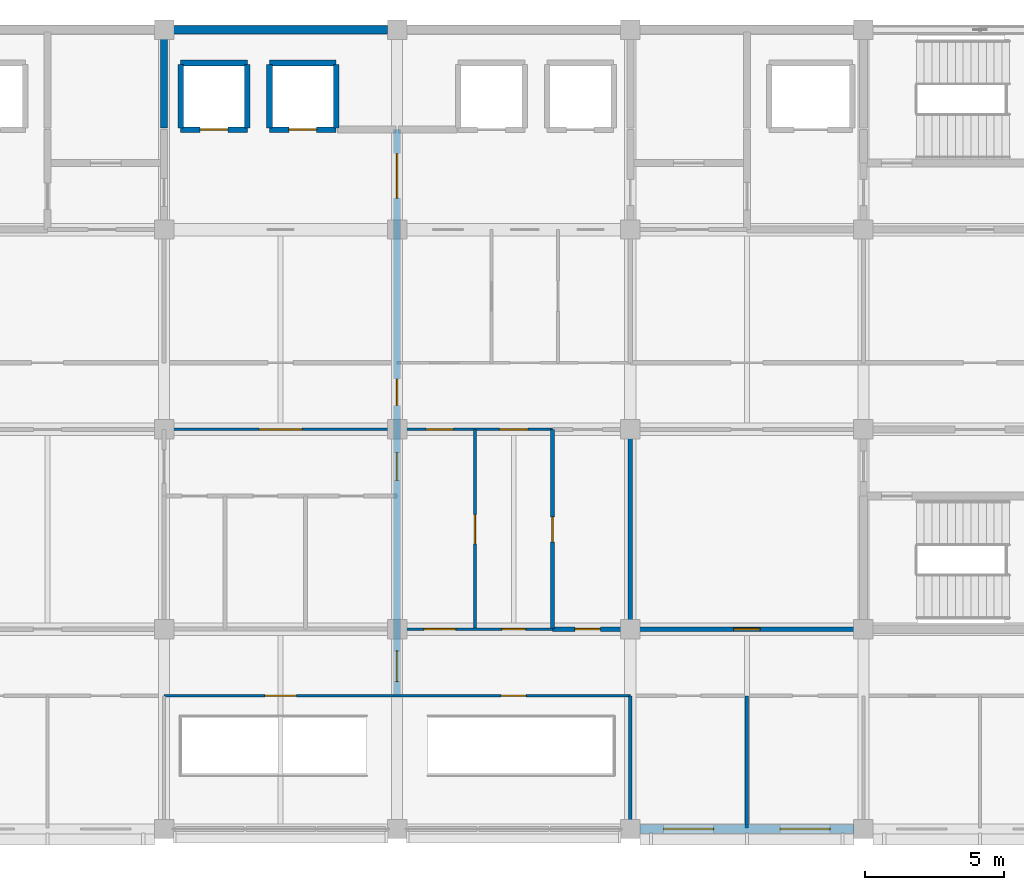
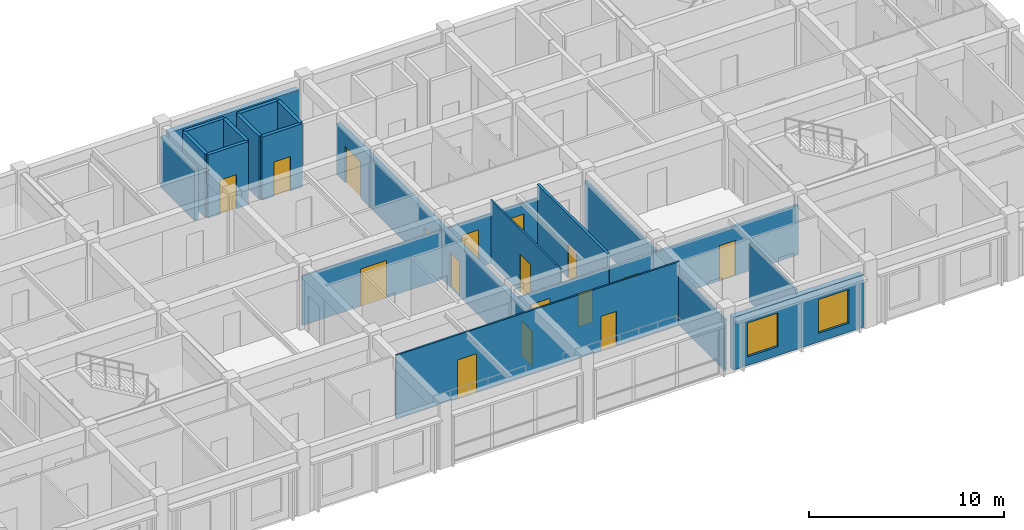
# One storey, part 11 of 17: 21 walls, 17 doors, 2 windows, 19 openings.
"""IFC4 building model written with IfcOpenShell, lengths in metres."""

from ifc_helpers import new_model, si_unit, direction, frame, frame_2d, origin, place, context, subcontext, project, spatial, rectangle, extrude, material, layer, layer_set, type_object, element, fill, save


model = new_model("IFC4")

# Units and contexts
model_context = context("Model", 3, precision=1e-05, world=origin(), true_north=direction((0.0, 1.0)))
body_context = subcontext(model_context, "Body", "Model", "MODEL_VIEW")
ifc_project = project(units=[si_unit("LENGTHUNIT", "METRE"), si_unit("AREAUNIT", "SQUARE_METRE"), si_unit("VOLUMEUNIT", "CUBIC_METRE"), si_unit("PLANEANGLEUNIT", "RADIAN"), si_unit("MASSUNIT", "GRAM", prefix="KILO")], contexts=[model_context])

# Site, building, storey
site_placement = place(None, origin())
site = spatial("IfcSite", under=ifc_project, at=site_placement, CompositionType="ELEMENT")
building_placement = place(site_placement, origin())
building = spatial("IfcBuilding", under=site, at=building_placement, Name="Chengyuan Square Courthouse", CompositionType="ELEMENT")
storey_placement = place(building_placement, frame((0.0, 0.0, 51.89990234375)))
storey = spatial("IfcBuildingStorey", under=building, at=storey_placement, Name="L12", CompositionType="ELEMENT", Elevation=51.89990234375)

# Wall
ifc_material_1 = material(Name="Concrete C40", Category="concrete")
ifc_layer_1 = layer(ifc_material_1, 0.320068359375)
ifc_layer_set_1 = layer_set([ifc_layer_1], Name="Concrete C40")
wall_type_1 = type_object("IfcWallType", Name="WL-EW3", PredefinedType="STANDARD", material=ifc_layer_set_1)
wall_1_placement = place(storey_placement, frame((75.945068359375, 108.0, 0.0), z_axis=(0.0, 0.0, 1.0), x_axis=(1.0, 0.0, 0.0)))
element("IfcWall", 1, at=wall_1_placement, inside=storey, type_object=wall_type_1, Name="Exterior Wall WL-L12-E476", PredefinedType="STANDARD", context=body_context, shape_type="SweptSolid", body=[
    extrude(rectangle(XDim=7.7099609375, YDim=0.320068359375, at=frame_2d((3.85498046875, 0.0))), origin(), (0.0, 0.0, 1.0), 3.31005859375),
])

# Wall, openings, windows
wall_2_placement = place(storey_placement, frame((92.7451171875, 79.199951171875, 0.0), z_axis=(0.0, 0.0, 1.0), x_axis=(1.0, 0.0, 0.0)))
wall_2 = element("IfcWall", 2, at=wall_2_placement, inside=storey, type_object=wall_type_1, Name="Exterior Wall WL-L12-E478", PredefinedType="STANDARD", context=body_context, shape_type="SweptSolid", body=[
    extrude(rectangle(XDim=7.7099609375, YDim=0.320068359375, at=frame_2d((3.85498046875, 0.0))), origin(), (0.0, 0.0, 1.0), 3.31005859375),
])
opening_1_placement = place(wall_2_placement, frame((0.85498046875, 0.0, 0.550048828125)))
opening_1 = element("IfcOpeningElement", 3, at=opening_1_placement, cuts=wall_2, Name="Opening WN-209", PredefinedType="OPENING", context=body_context, shape_type="SweptSolid", body=[
    extrude(rectangle(XDim=1.800048828125, YDim=2.1201171875, at=frame_2d((0.89990234375, 1.06005859375))), frame((0.0, 0.172119140625, 0.0), z_axis=(0.0, -1.0, 0.0), x_axis=(1.0, 0.0, 0.0)), (0.0, 0.0, 1.0), 0.343994140625),
])
opening_2_placement = place(wall_2_placement, frame((5.054931640625, 0.0, 0.550048828125)))
opening_2 = element("IfcOpeningElement", 4, at=opening_2_placement, cuts=wall_2, Name="Opening WN-210", PredefinedType="OPENING", context=body_context, shape_type="SweptSolid", body=[
    extrude(rectangle(XDim=1.800048828125, YDim=2.1201171875, at=frame_2d((0.89990234375, 1.06005859375))), frame((0.0, 0.172119140625, 0.0), z_axis=(0.0, -1.0, 0.0), x_axis=(1.0, 0.0, 0.0)), (0.0, 0.0, 1.0), 0.343994140625),
])
ifc_material_2 = material(Name="Thermally Broken Aluminium Triple Low-E Window", Category="aluminium")
window_type = type_object("IfcWindowType", Name="WT-36", PartitioningType="SINGLE_PANEL", PredefinedType="WINDOW", material=ifc_material_2)
window_1_placement = place(opening_1_placement, origin())
window_1 = element("IfcWindow", 5, at=window_1_placement, inside=storey, type_object=window_type, Name="Facade Window WN-209", OverallHeight=2.1201171875, OverallWidth=1.800048828125, PartitioningType="SINGLE_PANEL", PredefinedType="WINDOW", context=body_context, shape_type="SweptSolid", body=[
    extrude(rectangle(XDim=1.800048828125, YDim=2.1201171875, at=frame_2d((0.89990234375, 1.06005859375))), frame((0.0, 0.030029296875, 0.0), z_axis=(0.0, -1.0, 0.0), x_axis=(1.0, 0.0, 0.0)), (0.0, 0.0, 1.0), 0.06005859375),
])
fill(opening_1, window_1)
window_2_placement = place(opening_2_placement, origin())
window_2 = element("IfcWindow", 6, at=window_2_placement, inside=storey, type_object=window_type, Name="Facade Window WN-210", OverallHeight=2.1201171875, OverallWidth=1.800048828125, PartitioningType="SINGLE_PANEL", PredefinedType="WINDOW", context=body_context, shape_type="SweptSolid", body=[
    extrude(rectangle(XDim=1.800048828125, YDim=2.1201171875, at=frame_2d((0.89990234375, 1.06005859375))), frame((0.0, 0.030029296875, 0.0), z_axis=(0.0, -1.0, 0.0), x_axis=(1.0, 0.0, 0.0)), (0.0, 0.0, 1.0), 0.06005859375),
])
fill(opening_2, window_2)

# Wall
ifc_layer_2 = layer(ifc_material_1, 0.25)
ifc_layer_set_2 = layer_set([ifc_layer_2], Name="Concrete C40")
wall_type_2 = type_object("IfcWallType", Name="WL-FW1", PredefinedType="STANDARD", material=ifc_layer_set_2)
wall_3_placement = place(storey_placement, frame((75.60009765625, 104.449951171875, 0.0), z_axis=(0.0, 0.0, 1.0), x_axis=(0.0, 1.0, 0.0)))
element("IfcWall", 7, at=wall_3_placement, inside=storey, type_object=wall_type_2, Name="Interior Wall WL-L12-I3723", PredefinedType="STANDARD", context=body_context, shape_type="SweptSolid", body=[
    extrude(rectangle(XDim=3.4599609375, YDim=0.25, at=frame_2d((1.72998046875, 0.0))), origin(), (0.0, 0.0, 1.0), 3.210205078125),
])

# Wall, openings, doors
wall_4_placement = place(storey_placement, frame((84.0, 84.0, 0.0), z_axis=(0.0, 0.0, 1.0), x_axis=(0.0, 1.0, 0.0)))
wall_4 = element("IfcWall", 8, at=wall_4_placement, inside=storey, type_object=wall_type_2, Name="Interior Wall WL-L12-I3730", PredefinedType="STANDARD", context=body_context, shape_type="SweptSolid", body=[
    extrude(rectangle(XDim=20.39990234375, YDim=0.25, at=frame_2d((10.199951171875, 0.0))), origin(), (0.0, 0.0, 1.0), 3.210205078125),
])
opening_3_placement = place(wall_4_placement, frame((17.93505859375, 0.0, 0.0)))
opening_3 = element("IfcOpeningElement", 9, at=opening_3_placement, cuts=wall_4, Name="Opening DR-3040", PredefinedType="OPENING", context=body_context, shape_type="SweptSolid", body=[
    extrude(rectangle(XDim=1.60009765625, YDim=2.300048828125, at=frame_2d((0.800048828125, 1.14990234375))), frame((0.0, 0.136962890625, 0.0), z_axis=(0.0, -1.0, 0.0), x_axis=(1.0, 0.0, 0.0)), (0.0, 0.0, 1.0), 0.27392578125),
])
opening_4_placement = place(wall_4_placement, frame((7.764892578125, 0.0, 0.0)))
opening_4 = element("IfcOpeningElement", 10, at=opening_4_placement, cuts=wall_4, Name="Opening DR-3058", PredefinedType="OPENING", context=body_context, shape_type="SweptSolid", body=[
    extrude(rectangle(XDim=1.0, YDim=2.199951171875, at=frame_2d((0.5, 1.10009765625))), frame((0.0, 0.136962890625, 0.0), z_axis=(0.0, -1.0, 0.0), x_axis=(1.0, 0.0, 0.0)), (0.0, 0.0, 1.0), 0.27392578125),
])
opening_5_placement = place(wall_4_placement, frame((10.4599609375, 0.0, 0.0)))
opening_5 = element("IfcOpeningElement", 11, at=opening_5_placement, cuts=wall_4, Name="Opening DR-3059", PredefinedType="OPENING", context=body_context, shape_type="SweptSolid", body=[
    extrude(rectangle(XDim=0.949951171875, YDim=2.14990234375, at=frame_2d((0.47509765625, 1.074951171875))), frame((0.0, 0.136962890625, 0.0), z_axis=(0.0, -1.0, 0.0), x_axis=(1.0, 0.0, 0.0)), (0.0, 0.0, 1.0), 0.27392578125),
])
opening_6_placement = place(wall_4_placement, frame((0.514892578125, 0.0, 0.0)))
opening_6 = element("IfcOpeningElement", 12, at=opening_6_placement, cuts=wall_4, Name="Opening DR-3108", PredefinedType="OPENING", context=body_context, shape_type="SweptSolid", body=[
    extrude(rectangle(XDim=1.10009765625, YDim=2.199951171875, at=frame_2d((0.550048828125, 1.10009765625))), frame((0.0, 0.136962890625, 0.0), z_axis=(0.0, -1.0, 0.0), x_axis=(1.0, 0.0, 0.0)), (0.0, 0.0, 1.0), 0.27392578125),
])
ifc_material_3 = material(Name="Steel Q235B Fire Door", Category="steel")
door_type_1 = type_object("IfcDoorType", Name="DT-10", OperationType="NOTDEFINED", PredefinedType="DOOR", material=ifc_material_3)
door_1_placement = place(opening_6_placement, origin())
door_1 = element("IfcDoor", 13, at=door_1_placement, inside=storey, type_object=door_type_1, Name="Interior Door DR-3108", OperationType="SINGLE_SWING_LEFT", OverallHeight=2.199951171875, OverallWidth=1.10009765625, PredefinedType="DOOR", context=body_context, shape_type="SweptSolid", body=[
    extrude(rectangle(XDim=1.10009765625, YDim=2.199951171875, at=frame_2d((0.550048828125, 1.10009765625))), frame((0.0, 0.02490234375, 0.0), z_axis=(0.0, -1.0, 0.0), x_axis=(1.0, 0.0, 0.0)), (0.0, 0.0, 1.0), 0.050048828125),
])
fill(opening_6, door_1)
door_type_2 = type_object("IfcDoorType", Name="DT-11", OperationType="NOTDEFINED", PredefinedType="DOOR", material=ifc_material_3)
door_2_placement = place(opening_4_placement, origin())
door_2 = element("IfcDoor", 14, at=door_2_placement, inside=storey, type_object=door_type_2, Name="Interior Door DR-3058", OperationType="SINGLE_SWING_LEFT", OverallHeight=2.199951171875, OverallWidth=1.0, PredefinedType="DOOR", context=body_context, shape_type="SweptSolid", body=[
    extrude(rectangle(XDim=1.0, YDim=2.199951171875, at=frame_2d((0.5, 1.10009765625))), frame((0.0, 0.02490234375, 0.0), z_axis=(0.0, -1.0, 0.0), x_axis=(1.0, 0.0, 0.0)), (0.0, 0.0, 1.0), 0.050048828125),
])
fill(opening_4, door_2)
door_type_3 = type_object("IfcDoorType", Name="DT-12", OperationType="NOTDEFINED", PredefinedType="DOOR", material=ifc_material_3)
door_3_placement = place(opening_5_placement, origin())
door_3 = element("IfcDoor", 15, at=door_3_placement, inside=storey, type_object=door_type_3, Name="Interior Door DR-3059", OperationType="SINGLE_SWING_RIGHT", OverallHeight=2.14990234375, OverallWidth=0.949951171875, PredefinedType="DOOR", context=body_context, shape_type="SweptSolid", body=[
    extrude(rectangle(XDim=0.949951171875, YDim=2.14990234375, at=frame_2d((0.47509765625, 1.074951171875))), frame((0.0, 0.02490234375, 0.0), z_axis=(0.0, -1.0, 0.0), x_axis=(1.0, 0.0, 0.0)), (0.0, 0.0, 1.0), 0.050048828125),
])
fill(opening_5, door_3)
ifc_material_4 = material(Name="Steel Q235B Glazed Fire Door", Category="steel")
door_type_4 = type_object("IfcDoorType", Name="DT-17", OperationType="DOUBLE_DOOR_SINGLE_SWING", PredefinedType="DOOR", material=ifc_material_4)
door_4_placement = place(opening_3_placement, frame((1.60009765625, 0.0, 0.0), z_axis=(0.0, 0.0, 1.0), x_axis=(-1.0, 0.0, 0.0)))
door_4 = element("IfcDoor", 16, at=door_4_placement, inside=storey, type_object=door_type_4, Name="Interior Door DR-3040", OperationType="DOUBLE_DOOR_SINGLE_SWING", OverallHeight=2.300048828125, OverallWidth=1.60009765625, PredefinedType="DOOR", context=body_context, shape_type="SweptSolid", body=[
    extrude(rectangle(XDim=1.60009765625, YDim=2.300048828125, at=frame_2d((0.800048828125, 1.14990234375))), frame((0.0, 0.02490234375, 0.0), z_axis=(0.0, -1.0, 0.0), x_axis=(1.0, 0.0, 0.0)), (0.0, 0.0, 1.0), 0.050048828125),
])
fill(opening_3, door_4)

ifc_material_5 = material(Name="Deliberation Room Sound-Insulated Partition")
ifc_layer_3 = layer(ifc_material_5, 0.14990234375)
ifc_layer_set_3 = layer_set([ifc_layer_3], Name="Deliberation Room Sound-Insulated Partition")
wall_type_3 = type_object("IfcWallType", Name="WL-PT3", PredefinedType="STANDARD", material=ifc_layer_set_3)
wall_5_placement = place(storey_placement, frame((89.60009765625, 86.39990234375, 0.0), z_axis=(0.0, 0.0, 1.0), x_axis=(1.0, 0.0, 0.0)))
wall_5 = element("IfcWall", 17, at=wall_5_placement, inside=storey, type_object=wall_type_3, Name="Interior Wall WL-L12-I3646", PredefinedType="STANDARD", context=body_context, shape_type="SweptSolid", body=[
    extrude(rectangle(XDim=11.199951171875, YDim=0.14990234375, at=frame_2d((5.60009765625, 0.0))), origin(), (0.0, 0.0, 1.0), 3.110107421875),
])
opening_7_placement = place(wall_5_placement, frame((0.804931640625, 0.0, 0.0)))
opening_7 = element("IfcOpeningElement", 18, at=opening_7_placement, cuts=wall_5, Name="Opening DR-3101", PredefinedType="OPENING", context=body_context, shape_type="SweptSolid", body=[
    extrude(rectangle(XDim=0.919921875, YDim=2.14990234375, at=frame_2d((0.4599609375, 1.074951171875))), frame((0.0, 0.0869140625, 0.0), z_axis=(0.0, -1.0, 0.0), x_axis=(1.0, 0.0, 0.0)), (0.0, 0.0, 1.0), 0.173828125),
])
opening_8_placement = place(wall_5_placement, frame((6.52001953125, 0.0, 0.0)))
opening_8 = element("IfcOpeningElement", 19, at=opening_8_placement, cuts=wall_5, Name="Opening DR-3102", PredefinedType="OPENING", context=body_context, shape_type="SweptSolid", body=[
    extrude(rectangle(XDim=0.9599609375, YDim=2.199951171875, at=frame_2d((0.47998046875, 1.10009765625))), frame((0.0, 0.0869140625, 0.0), z_axis=(0.0, -1.0, 0.0), x_axis=(1.0, 0.0, 0.0)), (0.0, 0.0, 1.0), 0.173828125),
])
ifc_material_6 = material(Name="Acoustic Solid-Core Timber Door", Category="wood")
door_type_5 = type_object("IfcDoorType", Name="DT-29", OperationType="NOTDEFINED", PredefinedType="DOOR", material=ifc_material_6)
door_5_placement = place(opening_7_placement, origin())
door_5 = element("IfcDoor", 20, at=door_5_placement, inside=storey, type_object=door_type_5, Name="Interior Door DR-3101", OperationType="SINGLE_SWING_RIGHT", OverallHeight=2.14990234375, OverallWidth=0.919921875, PredefinedType="DOOR", context=body_context, shape_type="SweptSolid", body=[
    extrude(rectangle(XDim=0.919921875, YDim=2.14990234375, at=frame_2d((0.4599609375, 1.074951171875))), frame((0.0, 0.02490234375, 0.0), z_axis=(0.0, -1.0, 0.0), x_axis=(1.0, 0.0, 0.0)), (0.0, 0.0, 1.0), 0.050048828125),
])
fill(opening_7, door_5)
door_type_6 = type_object("IfcDoorType", Name="DT-30", OperationType="NOTDEFINED", PredefinedType="DOOR", material=ifc_material_6)
door_6_placement = place(opening_8_placement, origin())
door_6 = element("IfcDoor", 21, at=door_6_placement, inside=storey, type_object=door_type_6, Name="Interior Door DR-3102", OperationType="SINGLE_SWING_LEFT", OverallHeight=2.199951171875, OverallWidth=0.9599609375, PredefinedType="DOOR", context=body_context, shape_type="SweptSolid", body=[
    extrude(rectangle(XDim=0.9599609375, YDim=2.199951171875, at=frame_2d((0.47998046875, 1.10009765625))), frame((0.0, 0.02490234375, 0.0), z_axis=(0.0, -1.0, 0.0), x_axis=(1.0, 0.0, 0.0)), (0.0, 0.0, 1.0), 0.050048828125),
])
fill(opening_8, door_6)

# Wall, opening, door
wall_6_placement = place(storey_placement, frame((89.60009765625, 86.39990234375, 0.0), z_axis=(0.0, 0.0, 1.0), x_axis=(0.0, 1.0, 0.0)))
wall_6 = element("IfcWall", 22, at=wall_6_placement, inside=storey, type_object=wall_type_3, Name="Interior Wall WL-L12-I3736", PredefinedType="STANDARD", context=body_context, shape_type="SweptSolid", body=[
    extrude(rectangle(XDim=7.2001953125, YDim=0.14990234375, at=frame_2d((3.60009765625, 0.0))), origin(), (0.0, 0.0, 1.0), 3.960205078125),
])
opening_9_placement = place(wall_6_placement, frame((3.14990234375, 0.0, 0.0)))
opening_9 = element("IfcOpeningElement", 23, at=opening_9_placement, cuts=wall_6, Name="Opening DR-3099", PredefinedType="OPENING", context=body_context, shape_type="SweptSolid", body=[
    extrude(rectangle(XDim=0.89990234375, YDim=2.14990234375, at=frame_2d((0.449951171875, 1.074951171875))), frame((0.0, 0.0869140625, 0.0), z_axis=(0.0, -1.0, 0.0), x_axis=(1.0, 0.0, 0.0)), (0.0, 0.0, 1.0), 0.173828125),
])
door_type_7 = type_object("IfcDoorType", Name="DT-27", OperationType="NOTDEFINED", PredefinedType="DOOR", material=ifc_material_6)
door_7_placement = place(opening_9_placement, origin())
door_7 = element("IfcDoor", 24, at=door_7_placement, inside=storey, type_object=door_type_7, Name="Interior Door DR-3099", OperationType="SINGLE_SWING_RIGHT", OverallHeight=2.14990234375, OverallWidth=0.89990234375, PredefinedType="DOOR", context=body_context, shape_type="SweptSolid", body=[
    extrude(rectangle(XDim=0.89990234375, YDim=2.14990234375, at=frame_2d((0.449951171875, 1.074951171875))), frame((0.0, 0.02490234375, 0.0), z_axis=(0.0, -1.0, 0.0), x_axis=(1.0, 0.0, 0.0)), (0.0, 0.0, 1.0), 0.050048828125),
])
fill(opening_9, door_7)

# Walls
wall_7_placement = place(storey_placement, frame((92.39990234375, 86.39990234375, 0.0), z_axis=(0.0, 0.0, 1.0), x_axis=(0.0, 1.0, 0.0)))
element("IfcWall", 25, at=wall_7_placement, inside=storey, type_object=wall_type_3, Name="Interior Wall WL-L12-I3740", PredefinedType="STANDARD", context=body_context, shape_type="SweptSolid", body=[
    extrude(rectangle(XDim=7.2001953125, YDim=0.14990234375, at=frame_2d((3.60009765625, 0.0))), origin(), (0.0, 0.0, 1.0), 3.210205078125),
])
ifc_material_7 = material(Name="Judges Chambers Gypsum Stud Partition")
ifc_layer_4 = layer(ifc_material_7, 0.1201171875)
ifc_layer_set_4 = layer_set([ifc_layer_4], Name="Judges Chambers Gypsum Stud Partition")
wall_type_4 = type_object("IfcWallType", Name="WL-PT5", PredefinedType="STANDARD", material=ifc_layer_set_4)
wall_8_placement = place(storey_placement, frame((92.39990234375, 79.239990234375, 0.0), z_axis=(0.0, 0.0, 1.0), x_axis=(0.0, 1.0, 0.0)))
element("IfcWall", 26, at=wall_8_placement, inside=storey, type_object=wall_type_4, Name="Interior Wall WL-L12-I3739", PredefinedType="STANDARD", context=body_context, shape_type="SweptSolid", body=[
    extrude(rectangle(XDim=4.760009765625, YDim=0.1201171875, at=frame_2d((2.3798828125, 0.0))), origin(), (0.0, 0.0, 1.0), 3.210205078125),
])
wall_9_placement = place(storey_placement, frame((96.60009765625, 79.239990234375, 0.0), z_axis=(0.0, 0.0, 1.0), x_axis=(0.0, 1.0, 0.0)))
element("IfcWall", 27, at=wall_9_placement, inside=storey, type_object=wall_type_4, Name="Interior Wall WL-L12-I3744", PredefinedType="STANDARD", context=body_context, shape_type="SweptSolid", body=[
    extrude(rectangle(XDim=4.760009765625, YDim=0.1201171875, at=frame_2d((2.3798828125, 0.0))), origin(), (0.0, 0.0, 1.0), 3.610107421875),
])

# Wall, openings, doors
ifc_material_8 = material(Name="Gypsum Plasterboard Acoustic Stud Partition")
ifc_layer_5 = layer(ifc_material_8, 0.10009765625)
ifc_layer_set_5 = layer_set([ifc_layer_5], Name="Gypsum Plasterboard Acoustic Stud Partition")
wall_type_5 = type_object("IfcWallType", Name="WL-PT6", PredefinedType="STANDARD", material=ifc_layer_set_5)
wall_10_placement = place(storey_placement, frame((75.60009765625, 84.0, 0.0), z_axis=(0.0, 0.0, 1.0), x_axis=(1.0, 0.0, 0.0)))
wall_10 = element("IfcWall", 28, at=wall_10_placement, inside=storey, type_object=wall_type_5, Name="Interior Wall WL-L12-I3638", PredefinedType="STANDARD", context=body_context, shape_type="SweptSolid", body=[
    extrude(rectangle(XDim=16.7998046875, YDim=0.10009765625, at=frame_2d((8.39990234375, 0.0))), origin(), (0.0, 0.0, 1.0), 3.960205078125),
])
opening_10_placement = place(wall_10_placement, frame((3.6298828125, 0.0, 0.0)))
opening_10 = element("IfcOpeningElement", 29, at=opening_10_placement, cuts=wall_10, Name="Opening DR-3115", PredefinedType="OPENING", context=body_context, shape_type="SweptSolid", body=[
    extrude(rectangle(XDim=1.139892578125, YDim=2.39990234375, at=frame_2d((0.56982421875, 1.199951171875))), frame((0.0, 0.06201171875, 0.0), z_axis=(0.0, -1.0, 0.0), x_axis=(1.0, 0.0, 0.0)), (0.0, 0.0, 1.0), 0.1240234375),
])
opening_11_placement = place(wall_10_placement, frame((12.14990234375, 0.0, 0.0)))
opening_11 = element("IfcOpeningElement", 30, at=opening_11_placement, cuts=wall_10, Name="Opening DR-3116", PredefinedType="OPENING", context=body_context, shape_type="SweptSolid", body=[
    extrude(rectangle(XDim=0.89990234375, YDim=2.14990234375, at=frame_2d((0.449951171875, 1.074951171875))), frame((0.0, 0.06201171875, 0.0), z_axis=(0.0, -1.0, 0.0), x_axis=(1.0, 0.0, 0.0)), (0.0, 0.0, 1.0), 0.1240234375),
])
door_8_placement = place(opening_11_placement, origin())
door_8 = element("IfcDoor", 31, at=door_8_placement, inside=storey, type_object=door_type_7, Name="Interior Door DR-3116", OperationType="SINGLE_SWING_LEFT", OverallHeight=2.14990234375, OverallWidth=0.89990234375, PredefinedType="DOOR", context=body_context, shape_type="SweptSolid", body=[
    extrude(rectangle(XDim=0.89990234375, YDim=2.14990234375, at=frame_2d((0.449951171875, 1.074951171875))), frame((0.0, 0.02490234375, 0.0), z_axis=(0.0, -1.0, 0.0), x_axis=(1.0, 0.0, 0.0)), (0.0, 0.0, 1.0), 0.050048828125),
])
fill(opening_11, door_8)
door_type_8 = type_object("IfcDoorType", Name="DT-43", OperationType="NOTDEFINED", PredefinedType="DOOR", material=ifc_material_6)
door_9_placement = place(opening_10_placement, origin())
door_9 = element("IfcDoor", 32, at=door_9_placement, inside=storey, type_object=door_type_8, Name="Interior Door DR-3115", OperationType="SINGLE_SWING_RIGHT", OverallHeight=2.39990234375, OverallWidth=1.139892578125, PredefinedType="DOOR", context=body_context, shape_type="SweptSolid", body=[
    extrude(rectangle(XDim=1.139892578125, YDim=2.39990234375, at=frame_2d((0.56982421875, 1.199951171875))), frame((0.0, 0.02490234375, 0.0), z_axis=(0.0, -1.0, 0.0), x_axis=(1.0, 0.0, 0.0)), (0.0, 0.0, 1.0), 0.050048828125),
])
fill(opening_10, door_9)

wall_11_placement = place(storey_placement, frame((84.0, 86.39990234375, 0.0), z_axis=(0.0, 0.0, 1.0), x_axis=(1.0, 0.0, 0.0)))
wall_11 = element("IfcWall", 33, at=wall_11_placement, inside=storey, type_object=wall_type_5, Name="Interior Wall WL-L12-I3645", PredefinedType="STANDARD", context=body_context, shape_type="SweptSolid", body=[
    extrude(rectangle(XDim=5.60009765625, YDim=0.10009765625, at=frame_2d((2.800048828125, 0.0))), origin(), (0.0, 0.0, 1.0), 3.110107421875),
])
opening_12_placement = place(wall_11_placement, frame((0.965087890625, 0.0, 0.0)))
opening_12 = element("IfcOpeningElement", 34, at=opening_12_placement, cuts=wall_11, Name="Opening DR-3098", PredefinedType="OPENING", context=body_context, shape_type="SweptSolid", body=[
    extrude(rectangle(XDim=1.139892578125, YDim=2.39990234375, at=frame_2d((0.56982421875, 1.199951171875))), frame((0.0, 0.06201171875, 0.0), z_axis=(0.0, -1.0, 0.0), x_axis=(1.0, 0.0, 0.0)), (0.0, 0.0, 1.0), 0.1240234375),
])
opening_13_placement = place(wall_11_placement, frame((3.77001953125, 0.0, 0.0)))
opening_13 = element("IfcOpeningElement", 35, at=opening_13_placement, cuts=wall_11, Name="Opening DR-3100", PredefinedType="OPENING", context=body_context, shape_type="SweptSolid", body=[
    extrude(rectangle(XDim=0.860107421875, YDim=2.10009765625, at=frame_2d((0.43017578125, 1.050048828125))), frame((0.0, 0.06201171875, 0.0), z_axis=(0.0, -1.0, 0.0), x_axis=(1.0, 0.0, 0.0)), (0.0, 0.0, 1.0), 0.1240234375),
])
door_type_9 = type_object("IfcDoorType", Name="DT-28", OperationType="NOTDEFINED", PredefinedType="DOOR", material=ifc_material_6)
door_10_placement = place(opening_13_placement, origin())
door_10 = element("IfcDoor", 36, at=door_10_placement, inside=storey, type_object=door_type_9, Name="Interior Door DR-3100", OperationType="SINGLE_SWING_LEFT", OverallHeight=2.10009765625, OverallWidth=0.860107421875, PredefinedType="DOOR", context=body_context, shape_type="SweptSolid", body=[
    extrude(rectangle(XDim=0.860107421875, YDim=2.10009765625, at=frame_2d((0.43017578125, 1.050048828125))), frame((0.0, 0.02490234375, 0.0), z_axis=(0.0, -1.0, 0.0), x_axis=(1.0, 0.0, 0.0)), (0.0, 0.0, 1.0), 0.050048828125),
])
fill(opening_13, door_10)
door_11_placement = place(opening_12_placement, origin())
door_11 = element("IfcDoor", 37, at=door_11_placement, inside=storey, type_object=door_type_8, Name="Interior Door DR-3098", OperationType="SINGLE_SWING_LEFT", OverallHeight=2.39990234375, OverallWidth=1.139892578125, PredefinedType="DOOR", context=body_context, shape_type="SweptSolid", body=[
    extrude(rectangle(XDim=1.139892578125, YDim=2.39990234375, at=frame_2d((0.56982421875, 1.199951171875))), frame((0.0, 0.02490234375, 0.0), z_axis=(0.0, -1.0, 0.0), x_axis=(1.0, 0.0, 0.0)), (0.0, 0.0, 1.0), 0.050048828125),
])
fill(opening_12, door_11)

wall_12_placement = place(storey_placement, frame((75.60009765625, 93.60009765625, 0.0), z_axis=(0.0, 0.0, 1.0), x_axis=(1.0, 0.0, 0.0)))
wall_12 = element("IfcWall", 38, at=wall_12_placement, inside=storey, type_object=wall_type_5, Name="Interior Wall WL-L12-I3657", PredefinedType="STANDARD", context=body_context, shape_type="SweptSolid", body=[
    extrude(rectangle(XDim=14.0, YDim=0.10009765625, at=frame_2d((7.0, 0.0))), origin(), (0.0, 0.0, 1.0), 3.110107421875),
])
opening_14_placement = place(wall_12_placement, frame((3.425048828125, 0.0, 0.0)))
opening_14 = element("IfcOpeningElement", 39, at=opening_14_placement, cuts=wall_12, Name="Opening DR-3056", PredefinedType="OPENING", context=body_context, shape_type="SweptSolid", body=[
    extrude(rectangle(XDim=1.550048828125, YDim=2.35009765625, at=frame_2d((0.77490234375, 1.175048828125))), frame((0.0, 0.06201171875, 0.0), z_axis=(0.0, -1.0, 0.0), x_axis=(1.0, 0.0, 0.0)), (0.0, 0.0, 1.0), 0.1240234375),
])
opening_15_placement = place(wall_12_placement, frame((9.445068359375, 0.0, 0.0)))
opening_15 = element("IfcOpeningElement", 40, at=opening_15_placement, cuts=wall_12, Name="Opening DR-3078", PredefinedType="OPENING", context=body_context, shape_type="SweptSolid", body=[
    extrude(rectangle(XDim=0.97998046875, YDim=2.35009765625, at=frame_2d((0.489990234375, 1.175048828125))), frame((0.0, 0.06201171875, 0.0), z_axis=(0.0, -1.0, 0.0), x_axis=(1.0, 0.0, 0.0)), (0.0, 0.0, 1.0), 0.1240234375),
])
opening_16_placement = place(wall_12_placement, frame((12.090087890625, 0.0, 0.0)))
opening_16 = element("IfcOpeningElement", 41, at=opening_16_placement, cuts=wall_12, Name="Opening DR-3079", PredefinedType="OPENING", context=body_context, shape_type="SweptSolid", body=[
    extrude(rectangle(XDim=1.02001953125, YDim=2.39990234375, at=frame_2d((0.510009765625, 1.199951171875))), frame((0.0, 0.06201171875, 0.0), z_axis=(0.0, -1.0, 0.0), x_axis=(1.0, 0.0, 0.0)), (0.0, 0.0, 1.0), 0.1240234375),
])
ifc_material_9 = material(Name="Acoustic Larch Veneer Double Door")
door_type_10 = type_object("IfcDoorType", Name="DT-23", OperationType="DOUBLE_DOOR_SINGLE_SWING", PredefinedType="DOOR", material=ifc_material_9)
door_12_placement = place(opening_14_placement, frame((1.550048828125, 0.0, 0.0), z_axis=(0.0, 0.0, 1.0), x_axis=(-1.0, 0.0, 0.0)))
door_12 = element("IfcDoor", 42, at=door_12_placement, inside=storey, type_object=door_type_10, Name="Interior Door DR-3056", OperationType="DOUBLE_DOOR_SINGLE_SWING", OverallHeight=2.35009765625, OverallWidth=1.550048828125, PredefinedType="DOOR", context=body_context, shape_type="SweptSolid", body=[
    extrude(rectangle(XDim=1.550048828125, YDim=2.35009765625, at=frame_2d((0.77490234375, 1.175048828125))), frame((0.0, 0.02490234375, 0.0), z_axis=(0.0, -1.0, 0.0), x_axis=(1.0, 0.0, 0.0)), (0.0, 0.0, 1.0), 0.050048828125),
])
fill(opening_14, door_12)
door_type_11 = type_object("IfcDoorType", Name="DT-40", OperationType="NOTDEFINED", PredefinedType="DOOR", material=ifc_material_6)
door_13_placement = place(opening_15_placement, origin())
door_13 = element("IfcDoor", 43, at=door_13_placement, inside=storey, type_object=door_type_11, Name="Interior Door DR-3078", OperationType="SINGLE_SWING_LEFT", OverallHeight=2.35009765625, OverallWidth=0.97998046875, PredefinedType="DOOR", context=body_context, shape_type="SweptSolid", body=[
    extrude(rectangle(XDim=0.97998046875, YDim=2.35009765625, at=frame_2d((0.489990234375, 1.175048828125))), frame((0.0, 0.02490234375, 0.0), z_axis=(0.0, -1.0, 0.0), x_axis=(1.0, 0.0, 0.0)), (0.0, 0.0, 1.0), 0.050048828125),
])
fill(opening_15, door_13)
door_type_12 = type_object("IfcDoorType", Name="DT-41", OperationType="NOTDEFINED", PredefinedType="DOOR", material=ifc_material_6)
door_14_placement = place(opening_16_placement, origin())
door_14 = element("IfcDoor", 44, at=door_14_placement, inside=storey, type_object=door_type_12, Name="Interior Door DR-3079", OperationType="SINGLE_SWING_RIGHT", OverallHeight=2.39990234375, OverallWidth=1.02001953125, PredefinedType="DOOR", context=body_context, shape_type="SweptSolid", body=[
    extrude(rectangle(XDim=1.02001953125, YDim=2.39990234375, at=frame_2d((0.510009765625, 1.199951171875))), frame((0.0, 0.02490234375, 0.0), z_axis=(0.0, -1.0, 0.0), x_axis=(1.0, 0.0, 0.0)), (0.0, 0.0, 1.0), 0.050048828125),
])
fill(opening_16, door_14)

# Wall, opening, door
wall_13_placement = place(storey_placement, frame((86.800048828125, 86.39990234375, 0.0), z_axis=(0.0, 0.0, 1.0), x_axis=(0.0, 1.0, 0.0)))
wall_13 = element("IfcWall", 45, at=wall_13_placement, inside=storey, type_object=wall_type_5, Name="Interior Wall WL-L12-I3732", PredefinedType="STANDARD", context=body_context, shape_type="SweptSolid", body=[
    extrude(rectangle(XDim=7.2001953125, YDim=0.10009765625, at=frame_2d((3.60009765625, 0.0))), origin(), (0.0, 0.0, 1.0), 3.960205078125),
])
opening_17_placement = place(wall_13_placement, frame((3.070068359375, 0.0, 0.0)))
opening_17 = element("IfcOpeningElement", 46, at=opening_17_placement, cuts=wall_13, Name="Opening DR-3097", PredefinedType="OPENING", context=body_context, shape_type="SweptSolid", body=[
    extrude(rectangle(XDim=1.06005859375, YDim=2.39990234375, at=frame_2d((0.530029296875, 1.199951171875))), frame((0.0, 0.06201171875, 0.0), z_axis=(0.0, -1.0, 0.0), x_axis=(1.0, 0.0, 0.0)), (0.0, 0.0, 1.0), 0.1240234375),
])
door_type_13 = type_object("IfcDoorType", Name="DT-42", OperationType="NOTDEFINED", PredefinedType="DOOR", material=ifc_material_6)
door_15_placement = place(opening_17_placement, origin())
door_15 = element("IfcDoor", 47, at=door_15_placement, inside=storey, type_object=door_type_13, Name="Interior Door DR-3097", OperationType="SINGLE_SWING_RIGHT", OverallHeight=2.39990234375, OverallWidth=1.06005859375, PredefinedType="DOOR", context=body_context, shape_type="SweptSolid", body=[
    extrude(rectangle(XDim=1.06005859375, YDim=2.39990234375, at=frame_2d((0.530029296875, 1.199951171875))), frame((0.0, 0.02490234375, 0.0), z_axis=(0.0, -1.0, 0.0), x_axis=(1.0, 0.0, 0.0)), (0.0, 0.0, 1.0), 0.050048828125),
])
fill(opening_17, door_15)

ifc_material_10 = material(Name="Reinforced Masonry Shaft Enclosure", Category="masonry")
ifc_layer_6 = layer(ifc_material_10, 0.199951171875)
ifc_layer_set_6 = layer_set([ifc_layer_6], Name="Reinforced Masonry Shaft Enclosure")
wall_type_6 = type_object("IfcWallType", Name="WL-SH1", PredefinedType="STANDARD", material=ifc_layer_set_6)
wall_14_placement = place(storey_placement, frame((76.199951171875, 104.39990234375, 0.0), z_axis=(0.0, 0.0, 1.0), x_axis=(1.0, 0.0, 0.0)))
wall_14 = element("IfcWall", 48, at=wall_14_placement, inside=storey, type_object=wall_type_6, Name="Interior Wall WL-L12-I3681", PredefinedType="STANDARD", context=body_context, shape_type="SweptSolid", body=[
    extrude(rectangle(XDim=2.400146484375, YDim=0.199951171875, at=frame_2d((1.2001953125, 0.0))), origin(), (0.0, 0.0, 1.0), 3.960205078125),
])
opening_18_placement = place(wall_14_placement, frame((0.699951171875, 0.0, 0.0)))
opening_18 = element("IfcOpeningElement", 49, at=opening_18_placement, cuts=wall_14, Name="Opening LD-189", PredefinedType="OPENING", context=body_context, shape_type="SweptSolid", body=[
    extrude(rectangle(XDim=1.0, YDim=2.14990234375, at=frame_2d((0.5, 1.074951171875))), frame((0.0, 0.112060546875, 0.0), z_axis=(0.0, -1.0, 0.0), x_axis=(1.0, 0.0, 0.0)), (0.0, 0.0, 1.0), 0.223876953125),
])
ifc_material_11 = material(Name="Stainless Steel S30408 Lift Landing Door", Category="steel")
door_type_14 = type_object("IfcDoorType", Name="DT-07", OperationType="DOUBLE_DOOR_SLIDING", PredefinedType="DOOR", material=ifc_material_11)
door_16_placement = place(opening_18_placement, origin())
door_16 = element("IfcDoor", 50, at=door_16_placement, inside=storey, type_object=door_type_14, Name="Lift Landing Door LF-J1 L12", OperationType="DOUBLE_DOOR_SLIDING", OverallHeight=2.14990234375, OverallWidth=1.0, PredefinedType="DOOR", context=body_context, shape_type="SweptSolid", body=[
    extrude(rectangle(XDim=1.0, YDim=2.14990234375, at=frame_2d((0.5, 1.074951171875))), frame((0.0, 0.02490234375, 0.0), z_axis=(0.0, -1.0, 0.0), x_axis=(1.0, 0.0, 0.0)), (0.0, 0.0, 1.0), 0.050048828125),
])
fill(opening_18, door_16)

wall_15_placement = place(storey_placement, frame((79.39990234375, 104.39990234375, 0.0), z_axis=(0.0, 0.0, 1.0), x_axis=(1.0, 0.0, 0.0)))
wall_15 = element("IfcWall", 51, at=wall_15_placement, inside=storey, type_object=wall_type_6, Name="Interior Wall WL-L12-I3682", PredefinedType="STANDARD", context=body_context, shape_type="SweptSolid", body=[
    extrude(rectangle(XDim=2.400146484375, YDim=0.199951171875, at=frame_2d((1.2001953125, 0.0))), origin(), (0.0, 0.0, 1.0), 3.960205078125),
])
opening_19_placement = place(wall_15_placement, frame((0.699951171875, 0.0, 0.0)))
opening_19 = element("IfcOpeningElement", 52, at=opening_19_placement, cuts=wall_15, Name="Opening LD-190", PredefinedType="OPENING", context=body_context, shape_type="SweptSolid", body=[
    extrude(rectangle(XDim=1.0, YDim=2.14990234375, at=frame_2d((0.5, 1.074951171875))), frame((0.0, 0.112060546875, 0.0), z_axis=(0.0, -1.0, 0.0), x_axis=(1.0, 0.0, 0.0)), (0.0, 0.0, 1.0), 0.223876953125),
])
door_17_placement = place(opening_19_placement, origin())
door_17 = element("IfcDoor", 53, at=door_17_placement, inside=storey, type_object=door_type_14, Name="Lift Landing Door LF-J2 L12", OperationType="DOUBLE_DOOR_SLIDING", OverallHeight=2.14990234375, OverallWidth=1.0, PredefinedType="DOOR", context=body_context, shape_type="SweptSolid", body=[
    extrude(rectangle(XDim=1.0, YDim=2.14990234375, at=frame_2d((0.5, 1.074951171875))), frame((0.0, 0.02490234375, 0.0), z_axis=(0.0, -1.0, 0.0), x_axis=(1.0, 0.0, 0.0)), (0.0, 0.0, 1.0), 0.050048828125),
])
fill(opening_19, door_17)

# Walls
for number, where, z_axis, x_axis, name in (
    (54, (76.199951171875, 106.800048828125, 0.0), (0.0, 0.0, 1.0), (1.0, 0.0, 0.0), "Interior Wall WL-L12-I3689"),
    (55, (79.39990234375, 106.800048828125, 0.0), (0.0, 0.0, 1.0), (1.0, 0.0, 0.0), "Interior Wall WL-L12-I3690"),
):
    element("IfcWall", number, at=place(storey_placement, frame(where, z_axis=z_axis, x_axis=x_axis)), inside=storey, type_object=wall_type_6, Name=name, PredefinedType="STANDARD", context=body_context, shape_type="SweptSolid", body=[
        extrude(rectangle(XDim=2.400146484375, YDim=0.199951171875, at=frame_2d((1.2001953125, 0.0))), origin(), (0.0, 0.0, 1.0), 3.960205078125),
    ])
for number, where, z_axis, x_axis, name in (
    (56, (76.199951171875, 104.449951171875, 0.0), (0.0, 0.0, 1.0), (0.0, 1.0, 0.0), "Interior Wall WL-L12-I3724"),
    (57, (78.60009765625, 104.449951171875, 0.0), (0.0, 0.0, 1.0), (0.0, 1.0, 0.0), "Interior Wall WL-L12-I3726"),
    (58, (79.39990234375, 104.449951171875, 0.0), (0.0, 0.0, 1.0), (0.0, 1.0, 0.0), "Interior Wall WL-L12-I3727"),
    (59, (81.800048828125, 104.449951171875, 0.0), (0.0, 0.0, 1.0), (0.0, 1.0, 0.0), "Interior Wall WL-L12-I3729"),
):
    element("IfcWall", number, at=place(storey_placement, frame(where, z_axis=z_axis, x_axis=x_axis)), inside=storey, type_object=wall_type_6, Name=name, PredefinedType="STANDARD", context=body_context, shape_type="SweptSolid", body=[
        extrude(rectangle(XDim=2.300048828125, YDim=0.199951171875, at=frame_2d((1.14990234375, 0.0))), origin(), (0.0, 0.0, 1.0), 3.960205078125),
    ])

save(model, "model.ifc")
